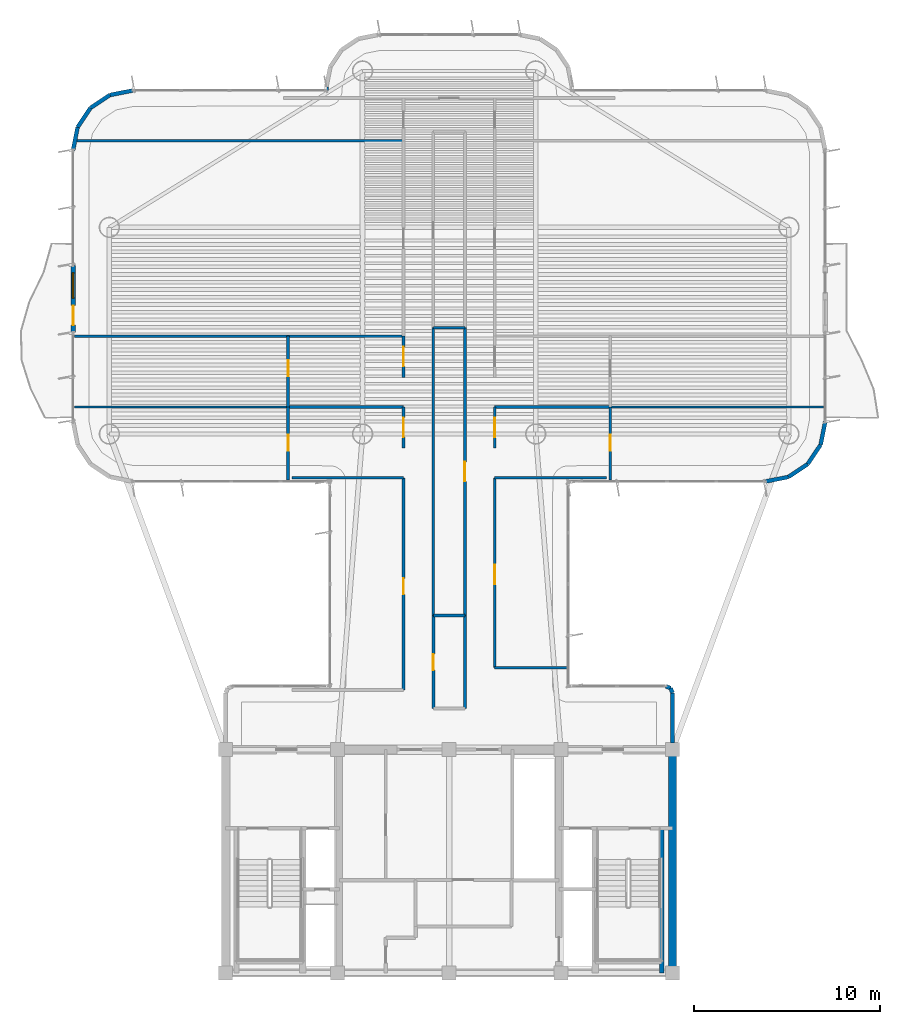
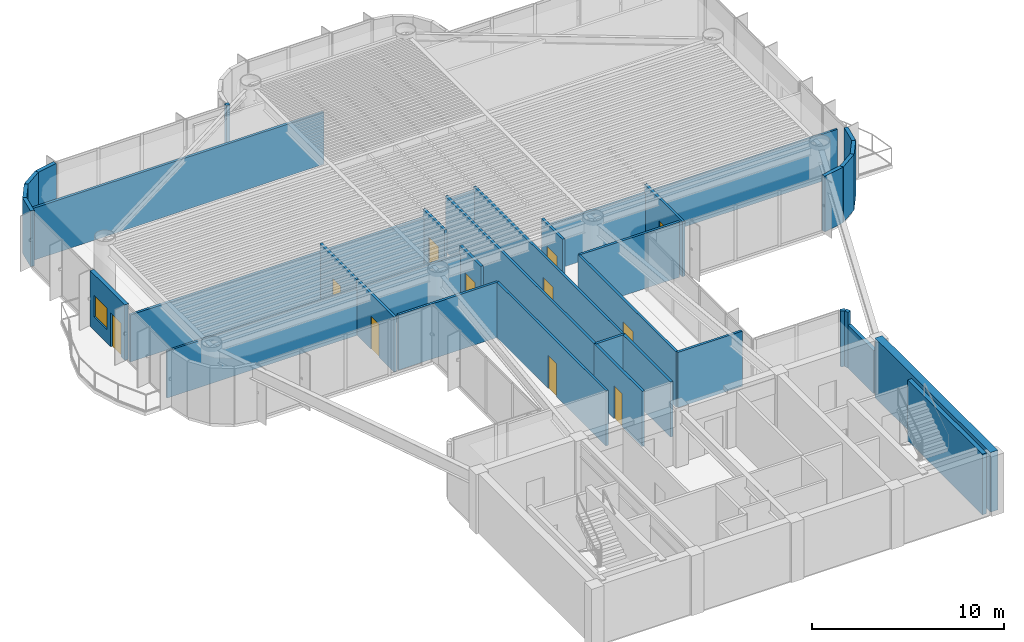
# One storey, part 10 of 14: 38 walls, 11 doors, 1 window, 12 openings.
"""IFC4 building model written with IfcOpenShell, lengths in metres."""

from ifc_helpers import new_model, si_unit, direction, frame, frame_2d, origin, origin_2d, place, context, subcontext, project, spatial, rectangle, extrude, source, transform, mapped, material, layer, layer_set, type_object, element, fill, save


model = new_model("IFC4")

# Units and contexts
model_context = context("Model", 3, precision=1e-05, world=origin(), true_north=direction((0.0, 1.0)))
body_context = subcontext(model_context, "Body", "Model", "MODEL_VIEW")
ifc_project = project(units=[si_unit("LENGTHUNIT", "METRE"), si_unit("AREAUNIT", "SQUARE_METRE"), si_unit("VOLUMEUNIT", "CUBIC_METRE"), si_unit("PLANEANGLEUNIT", "RADIAN"), si_unit("MASSUNIT", "GRAM", prefix="KILO")], contexts=[model_context])

# Site, building, storey
site_placement = place(None, origin())
site = spatial("IfcSite", under=ifc_project, at=site_placement, CompositionType="ELEMENT")
building_placement = place(site_placement, origin())
building = spatial("IfcBuilding", under=site, at=building_placement, Name="Brelvock Crest Care Tower", CompositionType="ELEMENT")
storey_placement = place(building_placement, frame((0.0, 0.0, 179.10009765625)))
storey = spatial("IfcBuildingStorey", under=building, at=storey_placement, Name="L45", CompositionType="ELEMENT", Elevation=179.10009765625)

# Walls
ifc_material_1 = material(Name="Concrete S65 (65 MPa)", Category="concrete")
ifc_layer_1 = layer(ifc_material_1, 0.449951171875, Name="WL-CS3")
ifc_layer_set_1 = layer_set([ifc_layer_1], Name="Concrete S65 (65 MPa)")
wall_type_1 = type_object("IfcWallType", Name="WL-CS3", PredefinedType="SHEAR", material=ifc_layer_set_1)
wall_1_placement = place(storey_placement, frame((48.0, 18.0, 0.0), z_axis=(0.0, 0.0, 1.0), x_axis=(0.0, -1.0, 0.0)))
element("IfcWall", 1, at=wall_1_placement, inside=storey, type_object=wall_type_1, Name="L45 Core East Shear Wall", PredefinedType="SHEAR", context=body_context, shape_type="SweptSolid", body=[
    extrude(rectangle(XDim=12.0, YDim=0.449951171875, at=frame_2d((6.0, 0.0))), origin(), (0.0, 0.0, 1.0), 3.77978515625),
])
ifc_material_2 = material(Name="Concrete S80 (80 MPa)", Category="concrete")
ifc_layer_2 = layer(ifc_material_2, 0.25, Name="WL-CS6")
ifc_layer_set_2 = layer_set([ifc_layer_2], Name="Concrete S80 (80 MPa)")
wall_type_2 = type_object("IfcWallType", Name="WL-CS6", PredefinedType="SHEAR", material=ifc_layer_set_2)
wall_2_placement = place(storey_placement, frame((47.419921875, 6.0, 0.0), z_axis=(0.0, 0.0, 1.0), x_axis=(0.0, 1.0, 0.0)))
element("IfcWall", 2, at=wall_2_placement, inside=storey, type_object=wall_type_2, Name="L45 Core Stair ST-2 East Shear Wall", PredefinedType="SHEAR", context=body_context, shape_type="SweptSolid", body=[
    extrude(rectangle(XDim=7.780029296875, YDim=0.25, at=frame_2d((3.89013671875, 0.0))), origin(), (0.0, 0.0, 1.0), 3.849853515625),
])

# Wall, openings, door, window
ifc_material_3 = material(Name="Precast concrete N40 (40 MPa)", Category="concrete")
ifc_layer_3 = layer(ifc_material_3, 0.239990234375, Name="WL-EX1")
ifc_layer_set_3 = layer_set([ifc_layer_3], Name="Precast concrete N40 (40 MPa)")
wall_type_3 = type_object("IfcWallType", Name="WL-EX1", PredefinedType="SOLIDWALL", material=ifc_layer_set_3)
wall_3_placement = place(storey_placement, frame((15.800048828125, 40.39990234375, 0.0), z_axis=(0.0, 0.0, 1.0), x_axis=(0.0, 1.0, 0.0)))
wall_3 = element("IfcWall", 3, at=wall_3_placement, inside=storey, type_object=wall_type_3, Name="L45 Exterior Spandrel Wall WL-BAL-L45-W", PredefinedType="SOLIDWALL", context=body_context, shape_type="SweptSolid", body=[
    extrude(rectangle(XDim=3.60009765625, YDim=0.239990234375, at=frame_2d((1.800048828125, 0.0))), origin(), (0.0, 0.0, 1.0), 3.52978515625),
])
opening_1_placement = place(wall_3_placement, frame((0.39990234375, 0.0, 0.0)))
opening_1 = element("IfcOpeningElement", 4, at=opening_1_placement, cuts=wall_3, Name="Opening BD-1", PredefinedType="OPENING", context=body_context, shape_type="SweptSolid", body=[
    extrude(rectangle(XDim=1.050048828125, YDim=2.14990234375, at=origin_2d()), frame((0.52490234375, 0.1298828125, 1.074951171875), z_axis=(0.0, -1.0, 0.0), x_axis=(1.0, 0.0, 0.0)), (0.0, 0.0, 1.0), 0.260009765625),
])
opening_2_placement = place(wall_3_placement, frame((1.85009765625, 0.0, 0.85009765625)))
opening_2 = element("IfcOpeningElement", 5, at=opening_2_placement, cuts=wall_3, Name="Opening W-01", PredefinedType="OPENING", context=body_context, shape_type="SweptSolid", body=[
    extrude(rectangle(XDim=1.35009765625, YDim=1.35009765625, at=origin_2d()), frame((0.675048828125, 0.1298828125, 0.675048828125), z_axis=(0.0, -1.0, 0.0), x_axis=(1.0, 0.0, 0.0)), (0.0, 0.0, 1.0), 0.260009765625),
])
ifc_material_4 = material(Name="Dark Glass Double Glazed Low-E", Category="glass")
door_type_1 = type_object("IfcDoorType", Name="DR-BAL1", OperationType="NOTDEFINED", PredefinedType="DOOR", material=ifc_material_4)
shared_shape_1 = source(origin(), body_context, "Body", "SweptSolid", [
    extrude(rectangle(XDim=1.050048828125, YDim=2.14990234375, at=origin_2d()), frame((0.52490234375, 0.02490234375, 1.074951171875), z_axis=(0.0, -1.0, 0.0), x_axis=(1.0, 0.0, 0.0)), (0.0, 0.0, 1.0), 0.050048828125),
])
door_1_placement = place(opening_1_placement, origin())
door_1 = element("IfcDoor", 6, at=door_1_placement, inside=storey, type_object=door_type_1, Name="L45 W Wave Balcony Glazed Door", OperationType="SINGLE_SWING_LEFT", OverallHeight=2.14990234375, OverallWidth=1.050048828125, PredefinedType="DOOR", context=body_context, shape_type="MappedRepresentation", body=[
    mapped(shared_shape_1, transform((0.0, 0.0, 0.0), x_axis=(1.0, 0.0, 0.0), y_axis=(0.0, 1.0, 0.0), z_axis=(0.0, 0.0, 1.0), scale=1.0)),
])
fill(opening_1, door_1)
window_type = type_object("IfcWindowType", Name="WN-EX1", PartitioningType="SINGLE_PANEL", PredefinedType="WINDOW", material=ifc_material_4)
shared_shape_2 = source(origin(), body_context, "Body", "SweptSolid", [
    extrude(rectangle(XDim=1.35009765625, YDim=1.35009765625, at=origin_2d()), frame((0.675048828125, 0.030029296875, 0.675048828125), z_axis=(0.0, -1.0, 0.0), x_axis=(1.0, 0.0, 0.0)), (0.0, 0.0, 1.0), 0.06005859375),
])
window_placement = place(opening_2_placement, origin())
window = element("IfcWindow", 7, at=window_placement, inside=storey, type_object=window_type, Name="L45 W Suite Casement Window", OverallHeight=1.35009765625, OverallWidth=1.35009765625, PartitioningType="SINGLE_PANEL", PredefinedType="WINDOW", context=body_context, shape_type="MappedRepresentation", body=[
    mapped(shared_shape_2, transform((0.0, 0.0, 0.0), x_axis=(1.0, 0.0, 0.0), y_axis=(0.0, 1.0, 0.0), z_axis=(0.0, 0.0, 1.0), scale=1.0)),
])
fill(opening_2, window)

# Walls
ifc_layer_4 = layer(ifc_material_3, 0.215087890625, Name="WL-EX2")
ifc_layer_set_4 = layer_set([ifc_layer_4], Name="Precast concrete N40 (40 MPa)")
wall_type_4 = type_object("IfcWallType", Name="WL-EX2", PredefinedType="SOLIDWALL", material=ifc_layer_set_4)
wall_4_placement = place(storey_placement, frame((47.8974609375, 21.297607421875, 0.0), z_axis=(0.0, 0.0, 1.0), x_axis=(0.382673670509, -0.923883575944, 0.0)))
element("IfcWall", 8, at=wall_4_placement, inside=storey, type_object=wall_type_4, Name="L45 Rounded Corner Wall 00", PredefinedType="SOLIDWALL", context=body_context, shape_type="SweptSolid", body=[
    extrude(rectangle(XDim=0.26806640625, YDim=0.215087890625, at=frame_2d((0.134033203125, 0.0))), origin(), (0.0, 0.0, 1.0), 3.52978515625),
])
wall_5_placement = place(storey_placement, frame((48.0, 21.050048828125, 0.0), z_axis=(0.0, 0.0, 1.0), x_axis=(0.0, -1.0, 0.0)))
element("IfcWall", 9, at=wall_5_placement, inside=storey, type_object=wall_type_4, Name="L45 Rounded Corner Wall 01", PredefinedType="SOLIDWALL", context=body_context, shape_type="SweptSolid", body=[
    extrude(rectangle(XDim=2.695068359375, YDim=0.215087890625, at=frame_2d((1.34765625, 0.0))), origin(), (0.0, 0.0, 1.0), 2.718017578125),
])
for number, where, z_axis, x_axis, name in (
    (10, (15.800048828125, 50.199951171875, 0.0), (0.0, 0.0, 1.0), (0.195138390419, 0.980775717779, 0.0), "L45 Rounded Corner Wall 18"),
    (11, (16.043701171875, 51.424560546875, 0.0), (0.0, 0.0, 1.0), (0.555557312883, 0.831478245117, 0.0), "L45 Rounded Corner Wall 19"),
    (12, (16.7373046875, 52.462646484375, 0.0), (0.0, 0.0, 1.0), (0.831387912822, 0.555692485475, 0.0), "L45 Rounded Corner Wall 20"),
    (13, (17.775390625, 53.156494140625, 0.0), (0.0, 0.0, 1.0), (0.980813122964, 0.194950295773, 0.0), "L45 Rounded Corner Wall 21"),
):
    element("IfcWall", number, at=place(storey_placement, frame(where, z_axis=z_axis, x_axis=x_axis)), inside=storey, type_object=wall_type_4, Name=name, PredefinedType="SOLIDWALL", context=body_context, shape_type="SweptSolid", body=[
        extrude(rectangle(XDim=1.24853515625, YDim=0.215087890625, at=frame_2d((0.624267578125, 0.0))), origin(), (0.0, 0.0, 1.0), 3.52978515625),
    ])
wall_6_placement = place(storey_placement, frame((29.39990234375, 53.39990234375, 0.0), z_axis=(0.0, 0.0, 1.0), x_axis=(0.0, 1.0, 0.0)))
element("IfcWall", 14, at=wall_6_placement, inside=storey, type_object=wall_type_4, Name="L45 Rounded Corner Wall 23", PredefinedType="SOLIDWALL", context=body_context, shape_type="SweptSolid", body=[
    extrude(rectangle(XDim=0.2001953125, YDim=0.215087890625, at=frame_2d((0.10009765625, 0.0))), origin(), (0.0, 0.0, 1.0), 3.52978515625),
])
for number, where, z_axis, x_axis, name in (
    (15, (56.199951171875, 35.60009765625, 0.0), (0.0, 0.0, 1.0), (-0.195138390419, -0.980775717779, 0.0), "L45 Rounded Corner Wall 40"),
    (16, (55.956298828125, 34.37548828125, 0.0), (0.0, 0.0, 1.0), (-0.555557312883, -0.831478245117, 0.0), "L45 Rounded Corner Wall 41"),
    (17, (55.2626953125, 33.33740234375, 0.0), (0.0, 0.0, 1.0), (-0.831387912822, -0.555692485475, 0.0), "L45 Rounded Corner Wall 42"),
    (18, (54.224609375, 32.6435546875, 0.0), (0.0, 0.0, 1.0), (-0.980775717779, -0.195138390419, 0.0), "L45 Rounded Corner Wall 43"),
):
    element("IfcWall", number, at=place(storey_placement, frame(where, z_axis=z_axis, x_axis=x_axis)), inside=storey, type_object=wall_type_4, Name=name, PredefinedType="SOLIDWALL", context=body_context, shape_type="SweptSolid", body=[
        extrude(rectangle(XDim=1.24853515625, YDim=0.215087890625, at=frame_2d((0.624267578125, 0.0))), origin(), (0.0, 0.0, 1.0), 3.52978515625),
    ])
wall_7_placement = place(storey_placement, frame((47.64990234375, 21.39990234375, 0.0), z_axis=(0.0, 0.0, 1.0), x_axis=(0.924205486139, -0.381895560841, 0.0)))
element("IfcWall", 19, at=wall_7_placement, inside=storey, type_object=wall_type_4, Name="L45 Rounded Corner Wall 47", PredefinedType="SOLIDWALL", context=body_context, shape_type="SweptSolid", body=[
    extrude(rectangle(XDim=0.267822265625, YDim=0.215087890625, at=frame_2d((0.1337890625, 0.0))), origin(), (0.0, 0.0, 1.0), 3.52978515625),
])
ifc_material_5 = material(Name="Masonry Blockwork Acoustic Partition", Category="masonry")
ifc_layer_5 = layer(ifc_material_5, 0.14990234375, Name="WL-INT1")
ifc_layer_set_5 = layer_set([ifc_layer_5], Name="Masonry Blockwork Acoustic Partition")
wall_type_5 = type_object("IfcWallType", Name="WL-INT1", PredefinedType="PARTITIONING", material=ifc_layer_set_5)
wall_8_placement = place(storey_placement, frame((38.449951171875, 22.39990234375, 0.0), z_axis=(0.0, 0.0, 1.0), x_axis=(1.0, 0.0, 0.0)))
element("IfcWall", 20, at=wall_8_placement, inside=storey, type_object=wall_type_5, Name="L45 Interior Wall WL-BX-L45-THRE-S", PredefinedType="PARTITIONING", context=body_context, shape_type="SweptSolid", body=[
    extrude(rectangle(XDim=3.8701171875, YDim=0.14990234375, at=frame_2d((1.93505859375, 0.0))), origin(), (0.0, 0.0, 1.0), 3.5),
])
wall_9_placement = place(storey_placement, frame((27.55712890625, 32.60009765625, 0.0), z_axis=(0.0, 0.0, 1.0), x_axis=(1.0, 0.0, 0.0)))
element("IfcWall", 21, at=wall_9_placement, inside=storey, type_object=wall_type_5, Name="L45 Interior Wall WL-BX-L45-CS-WR1A-S", PredefinedType="PARTITIONING", context=body_context, shape_type="SweptSolid", body=[
    extrude(rectangle(XDim=5.992919921875, YDim=0.14990234375, at=frame_2d((2.99658203125, 0.0))), origin(), (0.0, 0.0, 1.0), 3.5),
])
wall_10_placement = place(storey_placement, frame((38.449951171875, 32.60009765625, 0.0), z_axis=(0.0, 0.0, 1.0), x_axis=(1.0, 0.0, 0.0)))
element("IfcWall", 22, at=wall_10_placement, inside=storey, type_object=wall_type_5, Name="L45 Interior Wall WL-BX-L45-CS-ER1A-S", PredefinedType="PARTITIONING", context=body_context, shape_type="SweptSolid", body=[
    extrude(rectangle(XDim=5.993408203125, YDim=0.14990234375, at=frame_2d((2.99658203125, 0.0))), origin(), (0.0, 0.0, 1.0), 3.5),
])
for number, where, z_axis, x_axis, name in (
    (23, (27.35009765625, 36.40087890625, 0.0), (0.0, 0.0, 1.0), (1.0, 0.0, 0.0), "L45 Interior Wall WL-BX-L45-CS-WR1A-N"),
    (24, (38.449951171875, 36.40087890625, 0.0), (0.0, 0.0, 1.0), (1.0, 0.0, 0.0), "L45 Interior Wall WL-BX-L45-CS-ER1A-N"),
):
    element("IfcWall", number, at=place(storey_placement, frame(where, z_axis=z_axis, x_axis=x_axis)), inside=storey, type_object=wall_type_5, Name=name, PredefinedType="PARTITIONING", context=body_context, shape_type="SweptSolid", body=[
        extrude(rectangle(XDim=6.199951171875, YDim=0.14990234375, at=frame_2d((3.10009765625, 0.0))), origin(), (0.0, 0.0, 1.0), 2.98193359375),
    ])
wall_11_placement = place(storey_placement, frame((15.8798828125, 40.201904296875, 0.0), z_axis=(0.0, 0.0, 1.0), x_axis=(1.0, 0.0, 0.0)))
element("IfcWall", 25, at=wall_11_placement, inside=storey, type_object=wall_type_5, Name="L45 Interior Wall WL-BX-L45-WRC-S", PredefinedType="PARTITIONING", context=body_context, shape_type="SweptSolid", body=[
    extrude(rectangle(XDim=17.670166015625, YDim=0.14990234375, at=frame_2d((8.8349609375, 0.0))), origin(), (0.0, 0.0, 1.0), 2.98193359375),
])
wall_12_placement = place(storey_placement, frame((35.14990234375, 40.659912109375, 0.0), z_axis=(0.0, 0.0, 1.0), x_axis=(1.0, 0.0, 0.0)))
element("IfcWall", 26, at=wall_12_placement, inside=storey, type_object=wall_type_5, Name="L45 Interior Wall WL-BX-L45-ISKT-S", PredefinedType="PARTITIONING", context=body_context, shape_type="SweptSolid", body=[
    extrude(rectangle(XDim=1.7001953125, YDim=0.14990234375, at=frame_2d((0.85009765625, 0.0))), origin(), (0.0, 0.0, 1.0), 3.2587890625),
])
wall_13_placement = place(storey_placement, frame((15.98095703125, 50.699951171875, 0.0), z_axis=(0.0, 0.0, 1.0), x_axis=(1.0, 0.0, 0.0)))
element("IfcWall", 27, at=wall_13_placement, inside=storey, type_object=wall_type_5, Name="L45 Interior Wall WL-BX-L45-NALW-S", PredefinedType="PARTITIONING", context=body_context, shape_type="SweptSolid", body=[
    extrude(rectangle(XDim=17.569091796875, YDim=0.14990234375, at=frame_2d((8.78466796875, 0.0))), origin(), (0.0, 0.0, 1.0), 3.307861328125),
])

# Wall, opening, door
wall_14_placement = place(storey_placement, frame((27.35009765625, 32.47998046875, 0.0), z_axis=(0.0, 0.0, 1.0), x_axis=(0.0, 1.0, 0.0)))
wall_14 = element("IfcWall", 28, at=wall_14_placement, inside=storey, type_object=wall_type_5, Name="L45 Interior Wall WL-RM-L45-WR1AS", PredefinedType="PARTITIONING", context=body_context, shape_type="SweptSolid", body=[
    extrude(rectangle(XDim=3.9208984375, YDim=0.14990234375, at=frame_2d((1.96044921875, 0.0))), origin(), (0.0, 0.0, 1.0), 3.5),
])
opening_3_placement = place(wall_14_placement, frame((1.56005859375, 0.0, 0.0)))
opening_3 = element("IfcOpeningElement", 29, at=opening_3_placement, cuts=wall_14, Name="Opening ID-1", PredefinedType="OPENING", context=body_context, shape_type="SweptSolid", body=[
    extrude(rectangle(XDim=0.860107421875, YDim=2.10009765625, at=origin_2d()), frame((0.43017578125, 0.0849609375, 1.050048828125), z_axis=(0.0, -1.0, 0.0), x_axis=(1.0, 0.0, 0.0)), (0.0, 0.0, 1.0), 0.169921875),
])
ifc_material_6 = material(Name="Engineered Hardwood Timber", Category="wood")
door_type_2 = type_object("IfcDoorType", Name="DR-INT1", OperationType="NOTDEFINED", PredefinedType="DOOR", material=ifc_material_6)
shared_shape_3 = source(origin(), body_context, "Body", "SweptSolid", [
    extrude(rectangle(XDim=0.860107421875, YDim=2.10009765625, at=origin_2d()), frame((0.43017578125, 0.02490234375, 1.050048828125), z_axis=(0.0, -1.0, 0.0), x_axis=(1.0, 0.0, 0.0)), (0.0, 0.0, 1.0), 0.050048828125),
])
door_2_placement = place(opening_3_placement, origin())
door_2 = element("IfcDoor", 30, at=door_2_placement, inside=storey, type_object=door_type_2, Name="L45 Rehab Recovery Mobility Store Door WR1AS", OperationType="SINGLE_SWING_LEFT", OverallHeight=2.10009765625, OverallWidth=0.860107421875, PredefinedType="DOOR", context=body_context, shape_type="MappedRepresentation", body=[
    mapped(shared_shape_3, transform((0.0, 0.0, 0.0), x_axis=(1.0, 0.0, 0.0), y_axis=(0.0, 1.0, 0.0), z_axis=(0.0, 0.0, 1.0), scale=1.0)),
])
fill(opening_3, door_2)

wall_15_placement = place(storey_placement, frame((27.35009765625, 36.40087890625, 0.0), z_axis=(0.0, 0.0, 1.0), x_axis=(0.0, 1.0, 0.0)))
wall_15 = element("IfcWall", 31, at=wall_15_placement, inside=storey, type_object=wall_type_5, Name="L45 Interior Wall WL-RM-L45-WR1BS", PredefinedType="PARTITIONING", context=body_context, shape_type="SweptSolid", body=[
    extrude(rectangle(XDim=3.801025390625, YDim=0.14990234375, at=frame_2d((1.900390625, 0.0))), origin(), (0.0, 0.0, 1.0), 3.5),
])
opening_4_placement = place(wall_15_placement, frame((1.638916015625, 0.0, 0.0)))
opening_4 = element("IfcOpeningElement", 32, at=opening_4_placement, cuts=wall_15, Name="Opening ID-1", PredefinedType="OPENING", context=body_context, shape_type="SweptSolid", body=[
    extrude(rectangle(XDim=0.860107421875, YDim=2.10009765625, at=origin_2d()), frame((0.43017578125, 0.0849609375, 1.050048828125), z_axis=(0.0, -1.0, 0.0), x_axis=(1.0, 0.0, 0.0)), (0.0, 0.0, 1.0), 0.169921875),
])
door_3_placement = place(opening_4_placement, origin())
door_3 = element("IfcDoor", 33, at=door_3_placement, inside=storey, type_object=door_type_2, Name="L45 Rehab Recovery Mobility Store Door WR1BS", OperationType="SINGLE_SWING_LEFT", OverallHeight=2.10009765625, OverallWidth=0.860107421875, PredefinedType="DOOR", context=body_context, shape_type="MappedRepresentation", body=[
    mapped(shared_shape_3, transform((0.0, 0.0, 0.0), x_axis=(1.0, 0.0, 0.0), y_axis=(0.0, 1.0, 0.0), z_axis=(0.0, 0.0, 1.0), scale=1.0)),
])
fill(opening_4, door_3)

wall_16_placement = place(storey_placement, frame((33.550048828125, 21.199951171875, 0.0), z_axis=(0.0, 0.0, 1.0), x_axis=(0.0, 1.0, 0.0)))
wall_16 = element("IfcWall", 34, at=wall_16_placement, inside=storey, type_object=wall_type_5, Name="L45 Interior Wall WL-RM-L45-THRW", PredefinedType="PARTITIONING", context=body_context, shape_type="SweptSolid", body=[
    extrude(rectangle(XDim=11.400146484375, YDim=0.14990234375, at=frame_2d((5.7001953125, 0.0))), origin(), (0.0, 0.0, 1.0), 3.5),
])
opening_5_placement = place(wall_16_placement, frame((5.139892578125, 0.0, 0.0)))
opening_5 = element("IfcOpeningElement", 35, at=opening_5_placement, cuts=wall_16, Name="Opening ID-1", PredefinedType="OPENING", context=body_context, shape_type="SweptSolid", body=[
    extrude(rectangle(XDim=0.860107421875, YDim=2.10009765625, at=origin_2d()), frame((0.43017578125, 0.0849609375, 1.050048828125), z_axis=(0.0, -1.0, 0.0), x_axis=(1.0, 0.0, 0.0)), (0.0, 0.0, 1.0), 0.169921875),
])
door_4_placement = place(opening_5_placement, origin())
door_4 = element("IfcDoor", 36, at=door_4_placement, inside=storey, type_object=door_type_2, Name="L45 Quiet Family Consultation Room Door THRW", OperationType="SINGLE_SWING_LEFT", OverallHeight=2.10009765625, OverallWidth=0.860107421875, PredefinedType="DOOR", context=body_context, shape_type="MappedRepresentation", body=[
    mapped(shared_shape_3, transform((0.0, 0.0, 0.0), x_axis=(1.0, 0.0, 0.0), y_axis=(0.0, 1.0, 0.0), z_axis=(0.0, 0.0, 1.0), scale=1.0)),
])
fill(opening_5, door_4)

wall_17_placement = place(storey_placement, frame((33.550048828125, 34.196044921875, 0.0), z_axis=(0.0, 0.0, 1.0), x_axis=(0.0, 1.0, 0.0)))
wall_17 = element("IfcWall", 37, at=wall_17_placement, inside=storey, type_object=wall_type_5, Name="L45 Interior Wall WL-CENT-L45-WR1A", PredefinedType="PARTITIONING", context=body_context, shape_type="SweptSolid", body=[
    extrude(rectangle(XDim=2.204833984375, YDim=0.14990234375, at=frame_2d((1.1025390625, 0.0))), origin(), (0.0, 0.0, 1.0), 3.5),
])
opening_6_placement = place(wall_17_placement, frame((0.5830078125, 0.0, 0.0)))
opening_6 = element("IfcOpeningElement", 38, at=opening_6_placement, cuts=wall_17, Name="Opening CD-1", PredefinedType="OPENING", context=body_context, shape_type="SweptSolid", body=[
    extrude(rectangle(XDim=1.050048828125, YDim=2.10009765625, at=origin_2d()), frame((0.52490234375, 0.0849609375, 1.050048828125), z_axis=(0.0, -1.0, 0.0), x_axis=(1.0, 0.0, 0.0)), (0.0, 0.0, 1.0), 0.169921875),
])
door_type_3 = type_object("IfcDoorType", Name="DR-CARE1", OperationType="NOTDEFINED", PredefinedType="DOOR", material=ifc_material_6)
shared_shape_4 = source(origin(), body_context, "Body", "SweptSolid", [
    extrude(rectangle(XDim=1.050048828125, YDim=2.10009765625, at=origin_2d()), frame((0.52490234375, 0.02490234375, 1.050048828125), z_axis=(0.0, -1.0, 0.0), x_axis=(1.0, 0.0, 0.0)), (0.0, 0.0, 1.0), 0.050048828125),
])
door_5_placement = place(opening_6_placement, origin())
door_5 = element("IfcDoor", 39, at=door_5_placement, inside=storey, type_object=door_type_3, Name="L45 Care Suite Door WR1A", OperationType="SINGLE_SWING_LEFT", OverallHeight=2.10009765625, OverallWidth=1.050048828125, PredefinedType="DOOR", context=body_context, shape_type="MappedRepresentation", body=[
    mapped(shared_shape_4, transform((0.0, 0.0, 0.0), x_axis=(1.0, 0.0, 0.0), y_axis=(0.0, 1.0, 0.0), z_axis=(0.0, 0.0, 1.0), scale=1.0)),
])
fill(opening_6, door_5)

wall_18_placement = place(storey_placement, frame((33.550048828125, 37.9970703125, 0.0), z_axis=(0.0, 0.0, 1.0), x_axis=(0.0, 1.0, 0.0)))
wall_18 = element("IfcWall", 40, at=wall_18_placement, inside=storey, type_object=wall_type_5, Name="L45 Interior Wall WL-CENT-L45-WR1B", PredefinedType="PARTITIONING", context=body_context, shape_type="SweptSolid", body=[
    extrude(rectangle(XDim=2.204833984375, YDim=0.14990234375, at=frame_2d((1.1025390625, 0.0))), origin(), (0.0, 0.0, 1.0), 3.5),
])
opening_7_placement = place(wall_18_placement, frame((0.58203125, 0.0, 0.0)))
opening_7 = element("IfcOpeningElement", 41, at=opening_7_placement, cuts=wall_18, Name="Opening CD-1", PredefinedType="OPENING", context=body_context, shape_type="SweptSolid", body=[
    extrude(rectangle(XDim=1.050048828125, YDim=2.10009765625, at=origin_2d()), frame((0.52490234375, 0.0849609375, 1.050048828125), z_axis=(0.0, -1.0, 0.0), x_axis=(1.0, 0.0, 0.0)), (0.0, 0.0, 1.0), 0.169921875),
])
door_6_placement = place(opening_7_placement, origin())
door_6 = element("IfcDoor", 42, at=door_6_placement, inside=storey, type_object=door_type_3, Name="L45 Care Suite Door WR1B", OperationType="SINGLE_SWING_LEFT", OverallHeight=2.10009765625, OverallWidth=1.050048828125, PredefinedType="DOOR", context=body_context, shape_type="MappedRepresentation", body=[
    mapped(shared_shape_4, transform((0.0, 0.0, 0.0), x_axis=(1.0, 0.0, 0.0), y_axis=(0.0, 1.0, 0.0), z_axis=(0.0, 0.0, 1.0), scale=1.0)),
])
fill(opening_7, door_6)

# Wall
wall_19_placement = place(storey_placement, frame((35.14990234375, 25.199951171875, 0.0), z_axis=(0.0, 0.0, 1.0), x_axis=(0.0, 1.0, 0.0)))
element("IfcWall", 43, at=wall_19_placement, inside=storey, type_object=wall_type_5, Name="L45 Interior Wall WL-BX-L45-ISNS-W", PredefinedType="PARTITIONING", context=body_context, shape_type="SweptSolid", body=[
    extrude(rectangle(XDim=15.4599609375, YDim=0.14990234375, at=frame_2d((7.72998046875, 0.0))), origin(), (0.0, 0.0, 1.0), 3.5),
])

# Wall, opening, door
wall_20_placement = place(storey_placement, frame((36.85009765625, 25.199951171875, 0.0), z_axis=(0.0, 0.0, 1.0), x_axis=(0.0, 1.0, 0.0)))
wall_20 = element("IfcWall", 44, at=wall_20_placement, inside=storey, type_object=wall_type_5, Name="L45 Interior Wall WL-RM-L45-ISNS", PredefinedType="PARTITIONING", context=body_context, shape_type="SweptSolid", body=[
    extrude(rectangle(XDim=15.4599609375, YDim=0.14990234375, at=frame_2d((7.72998046875, 0.0))), origin(), (0.0, 0.0, 1.0), 3.5),
])
opening_8_placement = place(wall_20_placement, frame((7.205078125, 0.0, 0.0)))
opening_8 = element("IfcOpeningElement", 45, at=opening_8_placement, cuts=wall_20, Name="Opening CLD-1", PredefinedType="OPENING", context=body_context, shape_type="SweptSolid", body=[
    extrude(rectangle(XDim=1.050048828125, YDim=2.10009765625, at=origin_2d()), frame((0.52490234375, 0.0849609375, 1.050048828125), z_axis=(0.0, -1.0, 0.0), x_axis=(1.0, 0.0, 0.0)), (0.0, 0.0, 1.0), 0.169921875),
])
door_type_4 = type_object("IfcDoorType", Name="DR-CLN1", OperationType="NOTDEFINED", PredefinedType="DOOR", material=ifc_material_6)
shared_shape_5 = source(origin(), body_context, "Body", "SweptSolid", [
    extrude(rectangle(XDim=1.050048828125, YDim=2.10009765625, at=origin_2d()), frame((0.52490234375, 0.02490234375, 1.050048828125), z_axis=(0.0, -1.0, 0.0), x_axis=(1.0, 0.0, 0.0)), (0.0, 0.0, 1.0), 0.050048828125),
])
door_7_placement = place(opening_8_placement, origin())
door_7 = element("IfcDoor", 46, at=door_7_placement, inside=storey, type_object=door_type_4, Name="L45 Care Concierge and Triage Station Door ISNS", OperationType="SINGLE_SWING_LEFT", OverallHeight=2.10009765625, OverallWidth=1.050048828125, PredefinedType="DOOR", context=body_context, shape_type="MappedRepresentation", body=[
    mapped(shared_shape_5, transform((0.0, 0.0, 0.0), x_axis=(1.0, 0.0, 0.0), y_axis=(0.0, 1.0, 0.0), z_axis=(0.0, 0.0, 1.0), scale=1.0)),
])
fill(opening_8, door_7)

wall_21_placement = place(storey_placement, frame((38.449951171875, 22.39990234375, 0.0), z_axis=(0.0, 0.0, 1.0), x_axis=(0.0, 1.0, 0.0)))
wall_21 = element("IfcWall", 47, at=wall_21_placement, inside=storey, type_object=wall_type_5, Name="L45 Interior Wall WL-RM-L45-THRE", PredefinedType="PARTITIONING", context=body_context, shape_type="SweptSolid", body=[
    extrude(rectangle(XDim=10.2001953125, YDim=0.14990234375, at=frame_2d((5.10009765625, 0.0))), origin(), (0.0, 0.0, 1.0), 3.5),
])
opening_9_placement = place(wall_21_placement, frame((4.47509765625, 0.0, 0.0)))
opening_9 = element("IfcOpeningElement", 48, at=opening_9_placement, cuts=wall_21, Name="Opening CLD-1", PredefinedType="OPENING", context=body_context, shape_type="SweptSolid", body=[
    extrude(rectangle(XDim=1.050048828125, YDim=2.10009765625, at=origin_2d()), frame((0.52490234375, 0.0849609375, 1.050048828125), z_axis=(0.0, -1.0, 0.0), x_axis=(1.0, 0.0, 0.0)), (0.0, 0.0, 1.0), 0.169921875),
])
door_8_placement = place(opening_9_placement, origin())
door_8 = element("IfcDoor", 49, at=door_8_placement, inside=storey, type_object=door_type_4, Name="L45 Allied Health Therapy Room Door THRE", OperationType="SINGLE_SWING_LEFT", OverallHeight=2.10009765625, OverallWidth=1.050048828125, PredefinedType="DOOR", context=body_context, shape_type="MappedRepresentation", body=[
    mapped(shared_shape_5, transform((0.0, 0.0, 0.0), x_axis=(1.0, 0.0, 0.0), y_axis=(0.0, 1.0, 0.0), z_axis=(0.0, 0.0, 1.0), scale=1.0)),
])
fill(opening_9, door_8)

wall_22_placement = place(storey_placement, frame((38.449951171875, 34.196044921875, 0.0), z_axis=(0.0, 0.0, 1.0), x_axis=(0.0, 1.0, 0.0)))
wall_22 = element("IfcWall", 50, at=wall_22_placement, inside=storey, type_object=wall_type_5, Name="L45 Interior Wall WL-CENT-L45-ER1A", PredefinedType="PARTITIONING", context=body_context, shape_type="SweptSolid", body=[
    extrude(rectangle(XDim=2.204833984375, YDim=0.14990234375, at=frame_2d((1.1025390625, 0.0))), origin(), (0.0, 0.0, 1.0), 3.5),
])
opening_10_placement = place(wall_22_placement, frame((0.5830078125, 0.0, 0.0)))
opening_10 = element("IfcOpeningElement", 51, at=opening_10_placement, cuts=wall_22, Name="Opening CD-1", PredefinedType="OPENING", context=body_context, shape_type="SweptSolid", body=[
    extrude(rectangle(XDim=1.050048828125, YDim=2.10009765625, at=origin_2d()), frame((0.52490234375, 0.0849609375, 1.050048828125), z_axis=(0.0, -1.0, 0.0), x_axis=(1.0, 0.0, 0.0)), (0.0, 0.0, 1.0), 0.169921875),
])
door_9_placement = place(opening_10_placement, origin())
door_9 = element("IfcDoor", 52, at=door_9_placement, inside=storey, type_object=door_type_3, Name="L45 Care Suite Door ER1A", OperationType="SINGLE_SWING_LEFT", OverallHeight=2.10009765625, OverallWidth=1.050048828125, PredefinedType="DOOR", context=body_context, shape_type="MappedRepresentation", body=[
    mapped(shared_shape_4, transform((0.0, 0.0, 0.0), x_axis=(1.0, 0.0, 0.0), y_axis=(0.0, 1.0, 0.0), z_axis=(0.0, 0.0, 1.0), scale=1.0)),
])
fill(opening_10, door_9)

wall_23_placement = place(storey_placement, frame((44.64990234375, 32.47998046875, 0.0), z_axis=(0.0, 0.0, 1.0), x_axis=(0.0, 1.0, 0.0)))
wall_23 = element("IfcWall", 53, at=wall_23_placement, inside=storey, type_object=wall_type_5, Name="L45 Interior Wall WL-RM-L45-ER1AS", PredefinedType="PARTITIONING", context=body_context, shape_type="SweptSolid", body=[
    extrude(rectangle(XDim=3.9208984375, YDim=0.14990234375, at=frame_2d((1.96044921875, 0.0))), origin(), (0.0, 0.0, 1.0), 3.5),
])
opening_11_placement = place(wall_23_placement, frame((1.56005859375, 0.0, 0.0)))
opening_11 = element("IfcOpeningElement", 54, at=opening_11_placement, cuts=wall_23, Name="Opening ID-1", PredefinedType="OPENING", context=body_context, shape_type="SweptSolid", body=[
    extrude(rectangle(XDim=0.860107421875, YDim=2.10009765625, at=origin_2d()), frame((0.43017578125, 0.0849609375, 1.050048828125), z_axis=(0.0, -1.0, 0.0), x_axis=(1.0, 0.0, 0.0)), (0.0, 0.0, 1.0), 0.169921875),
])
door_10_placement = place(opening_11_placement, origin())
door_10 = element("IfcDoor", 55, at=door_10_placement, inside=storey, type_object=door_type_2, Name="L45 Rehab Recovery Mobility Store Door ER1AS", OperationType="SINGLE_SWING_LEFT", OverallHeight=2.10009765625, OverallWidth=0.860107421875, PredefinedType="DOOR", context=body_context, shape_type="MappedRepresentation", body=[
    mapped(shared_shape_3, transform((0.0, 0.0, 0.0), x_axis=(1.0, 0.0, 0.0), y_axis=(0.0, 1.0, 0.0), z_axis=(0.0, 0.0, 1.0), scale=1.0)),
])
fill(opening_11, door_10)

# Walls
ifc_material_7 = material(Name="Gypsum Plasterboard Partition", Category="gypsum")
ifc_layer_6 = layer(ifc_material_7, 0.1201171875, Name="WL-INT2")
ifc_layer_set_6 = layer_set([ifc_layer_6], Name="Gypsum Plasterboard Partition")
wall_type_6 = type_object("IfcWallType", Name="WL-INT2", PredefinedType="PARTITIONING", material=ifc_layer_set_6)
for number, where, z_axis, x_axis, name in (
    (56, (15.8798828125, 36.40087890625, 0.0), (0.0, 0.0, 1.0), (1.0, 0.0, 0.0), "L45 Interior Wall WL-BX-L45-WR1AS-N"),
    (57, (44.64990234375, 36.40087890625, 0.0), (0.0, 0.0, 1.0), (1.0, 0.0, 0.0), "L45 Interior Wall WL-BX-L45-ER1AS-N"),
):
    element("IfcWall", number, at=place(storey_placement, frame(where, z_axis=z_axis, x_axis=x_axis)), inside=storey, type_object=wall_type_6, Name=name, PredefinedType="PARTITIONING", context=body_context, shape_type="SweptSolid", body=[
        extrude(rectangle(XDim=11.47021484375, YDim=0.1201171875, at=frame_2d((5.735107421875, 0.0))), origin(), (0.0, 0.0, 1.0), 2.98193359375),
    ])
ifc_layer_7 = layer(ifc_material_7, 0.159912109375, Name="WL-PLM1")
ifc_layer_set_7 = layer_set([ifc_layer_7], Name="Gypsum Plasterboard Partition")
wall_type_7 = type_object("IfcWallType", Name="WL-PLM1", PredefinedType="PLUMBINGWALL", material=ifc_layer_set_7)
wall_24_placement = place(storey_placement, frame((35.14990234375, 25.199951171875, 0.0), z_axis=(0.0, 0.0, 1.0), x_axis=(1.0, 0.0, 0.0)))
element("IfcWall", 58, at=wall_24_placement, inside=storey, type_object=wall_type_7, Name="L45 Interior Wall WL-BX-L45-ISNS-S", PredefinedType="PLUMBINGWALL", context=body_context, shape_type="SweptSolid", body=[
    extrude(rectangle(XDim=1.7001953125, YDim=0.159912109375, at=frame_2d((0.85009765625, 0.0))), origin(), (0.0, 0.0, 1.0), 3.5),
])

# Wall, opening, door
wall_25_placement = place(storey_placement, frame((35.14990234375, 20.199951171875, 0.0), z_axis=(0.0, 0.0, 1.0), x_axis=(0.0, 1.0, 0.0)))
wall_25 = element("IfcWall", 59, at=wall_25_placement, inside=storey, type_object=wall_type_7, Name="L45 Interior Wall WL-RM-L45-ISWC", PredefinedType="PLUMBINGWALL", context=body_context, shape_type="SweptSolid", body=[
    extrude(rectangle(XDim=5.0, YDim=0.159912109375, at=frame_2d((2.5, 0.0))), origin(), (0.0, 0.0, 1.0), 3.5),
])
opening_12_placement = place(wall_25_placement, frame((2.070068359375, 0.0, 0.0)))
opening_12 = element("IfcOpeningElement", 60, at=opening_12_placement, cuts=wall_25, Name="Opening WD-1", PredefinedType="OPENING", context=body_context, shape_type="SweptSolid", body=[
    extrude(rectangle(XDim=0.860107421875, YDim=2.10009765625, at=origin_2d()), frame((0.43017578125, 0.08984375, 1.050048828125), z_axis=(0.0, -1.0, 0.0), x_axis=(1.0, 0.0, 0.0)), (0.0, 0.0, 1.0), 0.179931640625),
])
door_type_5 = type_object("IfcDoorType", Name="DR-WC1", OperationType="NOTDEFINED", PredefinedType="DOOR", material=ifc_material_6)
shared_shape_6 = source(origin(), body_context, "Body", "SweptSolid", [
    extrude(rectangle(XDim=0.860107421875, YDim=2.10009765625, at=origin_2d()), frame((0.43017578125, 0.02490234375, 1.050048828125), z_axis=(0.0, -1.0, 0.0), x_axis=(1.0, 0.0, 0.0)), (0.0, 0.0, 1.0), 0.050048828125),
])
door_11_placement = place(opening_12_placement, origin())
door_11 = element("IfcDoor", 61, at=door_11_placement, inside=storey, type_object=door_type_5, Name="L45 High-Zone Accessible WC Door ISWC", OperationType="SINGLE_SWING_LEFT", OverallHeight=2.10009765625, OverallWidth=0.860107421875, PredefinedType="DOOR", context=body_context, shape_type="MappedRepresentation", body=[
    mapped(shared_shape_6, transform((0.0, 0.0, 0.0), x_axis=(1.0, 0.0, 0.0), y_axis=(0.0, 1.0, 0.0), z_axis=(0.0, 0.0, 1.0), scale=1.0)),
])
fill(opening_12, door_11)

# Wall
wall_26_placement = place(storey_placement, frame((36.85009765625, 20.199951171875, 0.0), z_axis=(0.0, 0.0, 1.0), x_axis=(0.0, 1.0, 0.0)))
element("IfcWall", 62, at=wall_26_placement, inside=storey, type_object=wall_type_7, Name="L45 Interior Wall WL-BX-L45-ISWC-E", PredefinedType="PLUMBINGWALL", context=body_context, shape_type="SweptSolid", body=[
    extrude(rectangle(XDim=5.0, YDim=0.159912109375, at=frame_2d((2.5, 0.0))), origin(), (0.0, 0.0, 1.0), 3.5),
])

save(model, "model.ifc")
